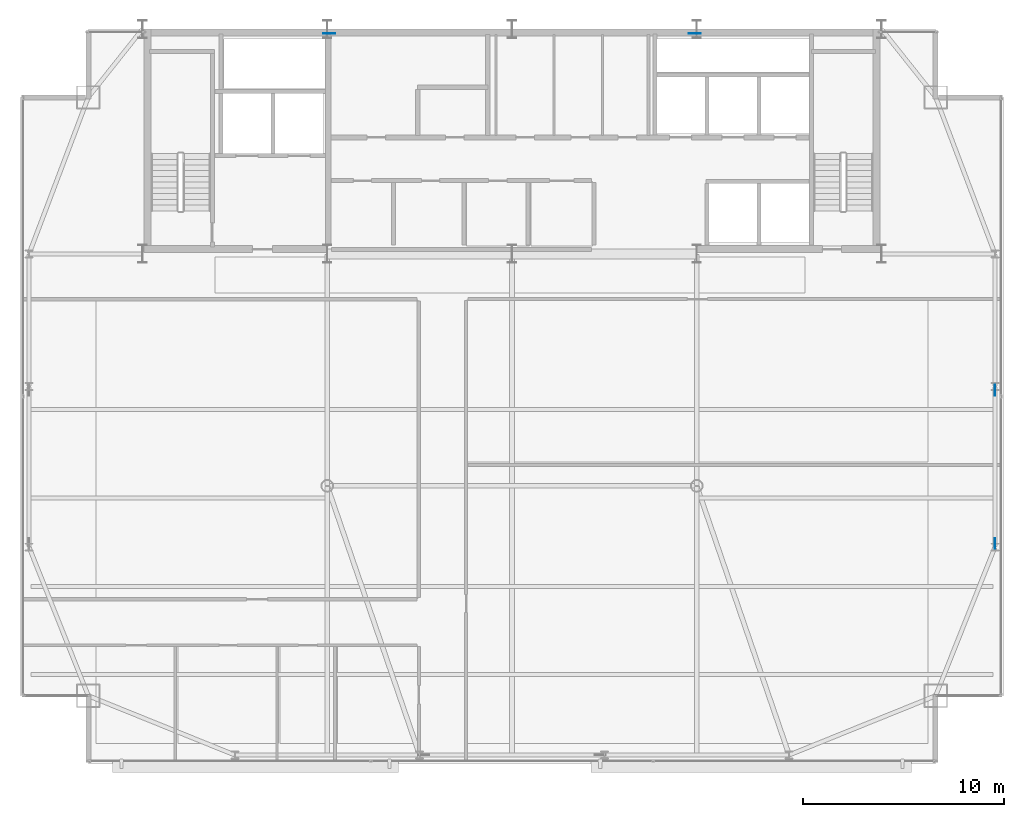
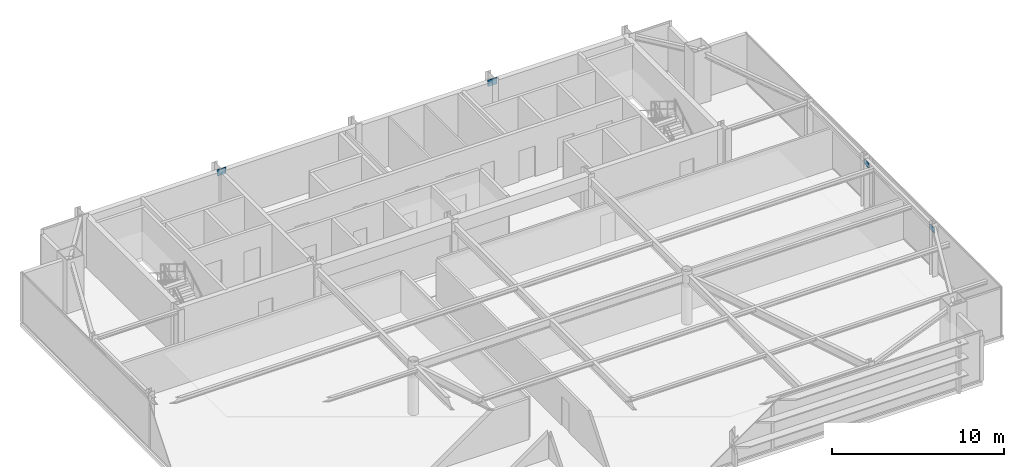
# One storey, part 21 of 25: 4 plates.
"""IFC4 building model written with IfcOpenShell, lengths in metres."""

from ifc_helpers import new_model, si_unit, direction, frame, origin, origin_2d, place, context, subcontext, project, spatial, rectangle, extrude, source, transform, mapped, material, layer, layer_set, type_object, type_shapes, element, save


model = new_model("IFC4")

# Units and contexts
model_context = context("Model", 3, precision=1e-05, world=origin(), true_north=direction((0.0, 1.0)))
body_context = subcontext(model_context, "Body", "Model", "MODEL_VIEW")
ifc_project = project(units=[si_unit("LENGTHUNIT", "METRE"), si_unit("AREAUNIT", "SQUARE_METRE"), si_unit("VOLUMEUNIT", "CUBIC_METRE"), si_unit("PLANEANGLEUNIT", "RADIAN"), si_unit("MASSUNIT", "GRAM", prefix="KILO")], contexts=[model_context])

# Site, building, storey
site_placement = place(None, origin())
site = spatial("IfcSite", under=ifc_project, at=site_placement, CompositionType="ELEMENT")
building_placement = place(site_placement, origin())
building = spatial("IfcBuilding", under=site, at=building_placement, Name="Varnel Quay Broadcast Tower", CompositionType="ELEMENT")
storey_placement = place(building_placement, frame((0.0, 0.0, 250.800048828125)))
storey = spatial("IfcBuildingStorey", under=building, at=storey_placement, Name="L62", CompositionType="ELEMENT", Elevation=250.800048828125)

# Plates
ifc_material = material(Name="Structural Steel CSA G40.21 350WT", Category="steel")
ifc_layer_1 = layer(ifc_material, 0.031982421875, Name="Structural Steel CSA G40.21 350WT")
ifc_layer_set_1 = layer_set([ifc_layer_1], Name="Structural Steel CSA G40.21 350WT")
plate_type_1 = type_object("IfcPlateType", Name="Plate_EndCap", PredefinedType="USERDEFINED", material=ifc_layer_set_1)
shared_shape_1 = source(origin(), body_context, "Body", "SweptSolid", [
    extrude(rectangle(XDim=0.5400390625, YDim=0.031982421875, at=origin_2d()), origin(), (0.0, 0.0, 1.0), 0.3798828125),
])
type_shapes(plate_type_1, [shared_shape_1])
for number, where, z_axis, x_axis, name in (
    (1, (58.050048828125, 28.8203125, 3.005126953125), (0.0, 0.0, 1.0), (0.0, 1.0, 0.0), "Zone 4 Mega-Brace E-FT3 Diag A End Connection Plate P1"),
    (2, (58.050048828125, 21.1796875, 3.005126953125), (0.0, 0.0, 1.0), (0.0, 1.0, 0.0), "Zone 4 Mega-Brace E-FT3 Diag B2 End Connection Plate P1"),
):
    element("IfcPlate", number, at=place(storey_placement, frame(where, z_axis=z_axis, x_axis=x_axis)), inside=storey, type_object=plate_type_1, Name=name, ObjectType="CAP_PLATE", PredefinedType="USERDEFINED", context=body_context, shape_type="MappedRepresentation", body=[
        mapped(shared_shape_1, transform((0.0, 0.0, 0.0), x_axis=(1.0, 0.0, 0.0), y_axis=(0.0, 1.0, 0.0), z_axis=(0.0, 0.0, 1.0), scale=1.0)),
    ])
ifc_layer_2 = layer(ifc_material, 0.0400390625, Name="Structural Steel CSA G40.21 350WT")
ifc_layer_set_2 = layer_set([ifc_layer_2], Name="Structural Steel CSA G40.21 350WT")
plate_type_2 = type_object("IfcPlateType", Name="Plate_EmbedPlate", PredefinedType="USERDEFINED", material=ifc_layer_set_2)
shared_shape_2 = source(origin(), body_context, "Body", "SweptSolid", [
    extrude(rectangle(XDim=0.60009765625, YDim=0.0400390625, at=origin_2d()), origin(), (0.0, 0.0, 1.0), 0.449951171875),
])
type_shapes(plate_type_2, [shared_shape_2])
for number, where, z_axis, x_axis, name in (
    (3, (43.106689453125, 46.580078125, 3.2294921875), (0.0, 0.0, 1.0), (1.0, 0.0, 0.0), "Zone 4 Mega-Brace N-CT3 Diag A Wall Cast-In Embed Plate P1"),
    (4, (24.893310546875, 46.580078125, 3.2294921875), (0.0, 0.0, 1.0), (1.0, 0.0, 0.0), "Zone 4 Mega-Brace N-CT3 Diag B2 Wall Cast-In Embed Plate P1"),
):
    element("IfcPlate", number, at=place(storey_placement, frame(where, z_axis=z_axis, x_axis=x_axis)), inside=storey, type_object=plate_type_2, Name=name, ObjectType="EMBED_PLATE", PredefinedType="USERDEFINED", context=body_context, shape_type="MappedRepresentation", body=[
        mapped(shared_shape_2, transform((0.0, 0.0, 0.0), x_axis=(1.0, 0.0, 0.0), y_axis=(0.0, 1.0, 0.0), z_axis=(0.0, 0.0, 1.0), scale=1.0)),
    ])

save(model, "model.ifc")
